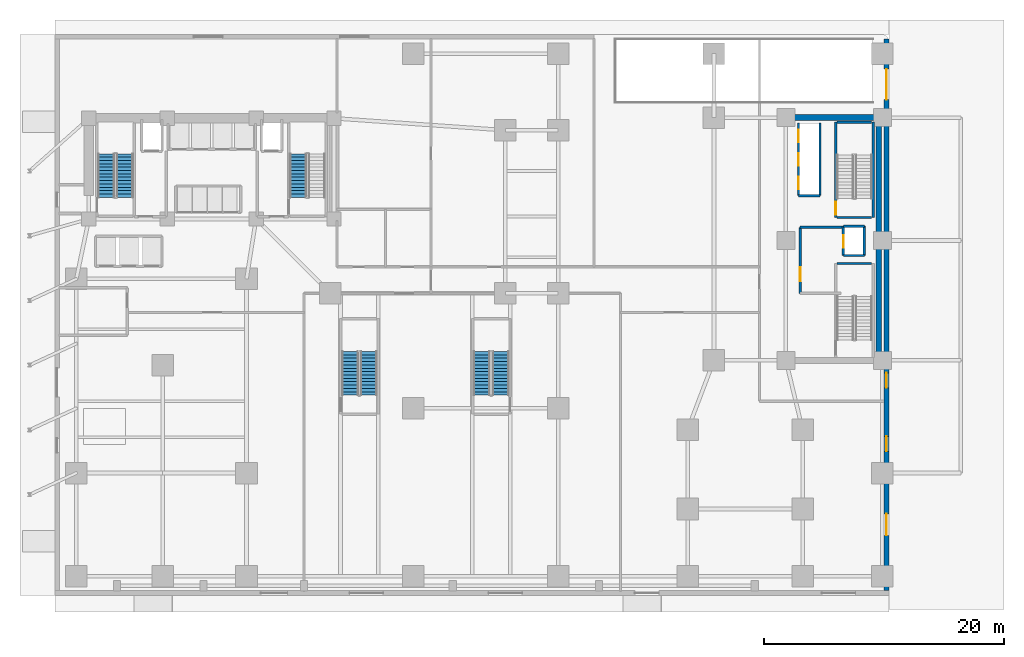
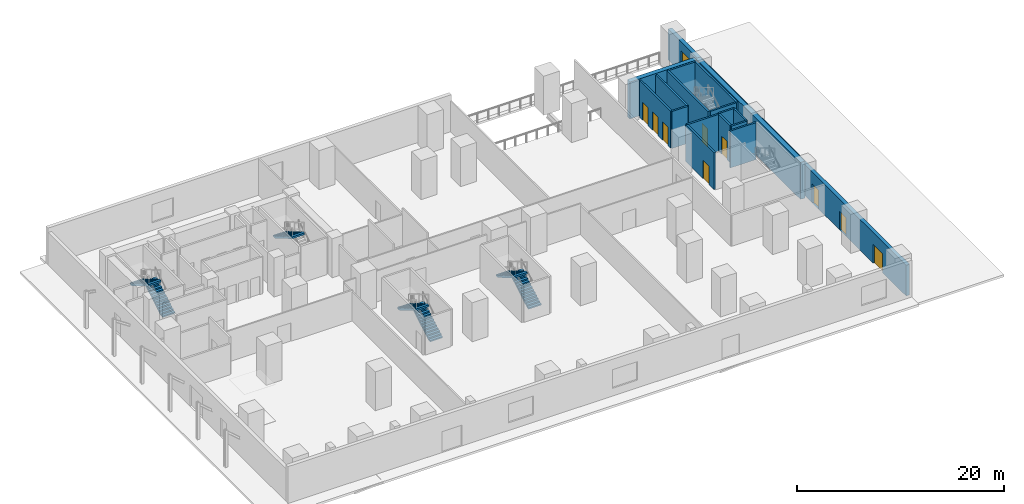
# One storey, part 9 of 14: 17 walls, 10 doors, 7 stair flights, 10 openings, 4 elements without a shape of their own.
"""IFC4 building model written with IfcOpenShell, lengths in metres."""

from ifc_helpers import new_model, si_unit, direction, frame, frame_2d, origin, place, context, subcontext, project, spatial, polyline, rectangle, outline, extrude, material, layer, layer_set, type_object, element, fill, aggregate, save


model = new_model("IFC4")

# Units and contexts
model_context = context("Model", 3, precision=1e-05, world=origin(), true_north=direction((0.0, 1.0)))
body_context = subcontext(model_context, "Body", "Model", "MODEL_VIEW")
ifc_project = project(units=[si_unit("LENGTHUNIT", "METRE"), si_unit("AREAUNIT", "SQUARE_METRE"), si_unit("VOLUMEUNIT", "CUBIC_METRE"), si_unit("PLANEANGLEUNIT", "RADIAN"), si_unit("MASSUNIT", "GRAM", prefix="KILO")], contexts=[model_context])

# Site, building, storey
site_placement = place(None, origin())
site = spatial("IfcSite", under=ifc_project, at=site_placement, CompositionType="ELEMENT")
building_placement = place(site_placement, origin())
building = spatial("IfcBuilding", under=site, at=building_placement, Name="Kuzgunbayir Cultural Tower", CompositionType="ELEMENT")
storey_placement = place(building_placement, origin())
storey = spatial("IfcBuildingStorey", under=building, at=storey_placement, Name="L00", CompositionType="ELEMENT", Elevation=0.0)

# Wall, openings, doors
ifc_material_1 = material(Name="Honed Basalt Plinth Stone", Category="masonry")
ifc_layer_1 = layer(ifc_material_1, 0.39990234375)
ifc_layer_set_1 = layer_set([ifc_layer_1], Name="Honed Basalt Plinth Stone")
wall_type_1 = type_object("IfcWallType", Name="WAL-EXT-GRANITE-400", PredefinedType="STANDARD", material=ifc_layer_set_1)
wall_1_placement = place(storey_placement, frame((73.0, 2.800048828125, 0.0), z_axis=(0.0, 0.0, 1.0), x_axis=(0.0, 1.0, 0.0)))
wall_1 = element("IfcWall", 1, at=wall_1_placement, inside=storey, type_object=wall_type_1, Name="L00 Podium East Limestone Facade", PredefinedType="STANDARD", context=body_context, shape_type="SweptSolid", body=[
    extrude(rectangle(XDim=46.0, YDim=0.39990234375, at=frame_2d((23.0, 0.0))), origin(), (0.0, 0.0, 1.0), 3.6298828125),
])
opening_1_placement = place(wall_1_placement, frame((11.60009765625, 0.0, 0.0)))
opening_1 = element("IfcOpeningElement", 2, at=opening_1_placement, cuts=wall_1, Name="Opening ED-05", PredefinedType="OPENING", context=body_context, shape_type="SweptSolid", body=[
    extrude(rectangle(XDim=1.25, YDim=2.199951171875, at=frame_2d((0.625, 1.10009765625))), frame((0.0, 0.2099609375, 0.0), z_axis=(0.0, -1.0, 0.0), x_axis=(1.0, 0.0, 0.0)), (0.0, 0.0, 1.0), 0.419921875),
])
opening_2_placement = place(wall_1_placement, frame((4.60009765625, 0.0, 0.0)))
opening_2 = element("IfcOpeningElement", 3, at=opening_2_placement, cuts=wall_1, Name="Opening ED-06", PredefinedType="OPENING", context=body_context, shape_type="SweptSolid", body=[
    extrude(rectangle(XDim=1.800048828125, YDim=2.25, at=frame_2d((0.89990234375, 1.125))), frame((0.0, 0.2099609375, 0.0), z_axis=(0.0, -1.0, 0.0), x_axis=(1.0, 0.0, 0.0)), (0.0, 0.0, 1.0), 0.419921875),
])
opening_3_placement = place(wall_1_placement, frame((16.89990234375, 0.0, 0.0)))
opening_3 = element("IfcOpeningElement", 4, at=opening_3_placement, cuts=wall_1, Name="Opening ED-07", PredefinedType="OPENING", context=body_context, shape_type="SweptSolid", body=[
    extrude(rectangle(XDim=1.25, YDim=2.199951171875, at=frame_2d((0.625, 1.10009765625))), frame((0.0, 0.2099609375, 0.0), z_axis=(0.0, -1.0, 0.0), x_axis=(1.0, 0.0, 0.0)), (0.0, 0.0, 1.0), 0.419921875),
])
opening_4_placement = place(wall_1_placement, frame((40.949951171875, 0.0, 0.0)))
opening_4 = element("IfcOpeningElement", 5, at=opening_4_placement, cuts=wall_1, Name="Opening VG01", PredefinedType="OPENING", context=body_context, shape_type="SweptSolid", body=[
    extrude(rectangle(XDim=2.550048828125, YDim=2.550048828125, at=frame_2d((1.27490234375, 1.27490234375))), frame((0.0, 0.2099609375, 0.0), z_axis=(0.0, -1.0, 0.0), x_axis=(1.0, 0.0, 0.0)), (0.0, 0.0, 1.0), 0.419921875),
])
ifc_material_2 = material(Name="Thermally Broken Glazed Aluminium", Category="aluminium")
door_type_1 = type_object("IfcDoorType", Name="DR-ED-05", OperationType="SINGLE_SWING_RIGHT", PredefinedType="DOOR", material=ifc_material_2)
door_1_placement = place(opening_1_placement, frame((1.25, 0.0, 0.0), z_axis=(0.0, 0.0, 1.0), x_axis=(-1.0, 0.0, 0.0)))
door_1 = element("IfcDoor", 6, at=door_1_placement, inside=storey, type_object=door_type_1, Name="Companion Discharge Exit ED-05", OperationType="SINGLE_SWING_RIGHT", OverallHeight=2.199951171875, OverallWidth=1.25, PredefinedType="DOOR", context=body_context, shape_type="SweptSolid", body=[
    extrude(rectangle(XDim=1.25, YDim=2.199951171875, at=frame_2d((0.625, 1.10009765625))), frame((0.0, 0.02490234375, 0.0), z_axis=(0.0, -1.0, 0.0), x_axis=(1.0, 0.0, 0.0)), (0.0, 0.0, 1.0), 0.050048828125),
])
fill(opening_1, door_1)
door_type_2 = type_object("IfcDoorType", Name="DR-ED-06", OperationType="DOUBLE_SWING_RIGHT", PredefinedType="DOOR", material=ifc_material_2)
door_2_placement = place(opening_2_placement, frame((1.800048828125, 0.0, 0.0), z_axis=(0.0, 0.0, 1.0), x_axis=(-1.0, 0.0, 0.0)))
door_2 = element("IfcDoor", 7, at=door_2_placement, inside=storey, type_object=door_type_2, Name="East Plaza Cultural Entrance ED-06", OperationType="DOUBLE_SWING_RIGHT", OverallHeight=2.25, OverallWidth=1.800048828125, PredefinedType="DOOR", context=body_context, shape_type="SweptSolid", body=[
    extrude(rectangle(XDim=1.800048828125, YDim=2.25, at=frame_2d((0.89990234375, 1.125))), frame((0.0, 0.02490234375, 0.0), z_axis=(0.0, -1.0, 0.0), x_axis=(1.0, 0.0, 0.0)), (0.0, 0.0, 1.0), 0.050048828125),
])
fill(opening_2, door_2)
door_type_3 = type_object("IfcDoorType", Name="DR-ED-07", OperationType="SINGLE_SWING_RIGHT", PredefinedType="DOOR", material=ifc_material_2)
door_3_placement = place(opening_3_placement, frame((1.25, 0.0, 0.0), z_axis=(0.0, 0.0, 1.0), x_axis=(-1.0, 0.0, 0.0)))
door_3 = element("IfcDoor", 8, at=door_3_placement, inside=storey, type_object=door_type_3, Name="East Protected Stair Exit Discharge Door ED-07", OperationType="SINGLE_SWING_RIGHT", OverallHeight=2.199951171875, OverallWidth=1.25, PredefinedType="DOOR", context=body_context, shape_type="SweptSolid", body=[
    extrude(rectangle(XDim=1.25, YDim=2.199951171875, at=frame_2d((0.625, 1.10009765625))), frame((0.0, 0.02490234375, 0.0), z_axis=(0.0, -1.0, 0.0), x_axis=(1.0, 0.0, 0.0)), (0.0, 0.0, 1.0), 0.050048828125),
])
fill(opening_3, door_3)
door_type_4 = type_object("IfcDoorType", Name="DR-VG-01", OperationType="ROLLINGUP", PredefinedType="GATE", material=ifc_material_2)
door_4_placement = place(opening_4_placement, origin())
door_4 = element("IfcDoor", 9, at=door_4_placement, inside=storey, type_object=door_type_4, Name="Basement Car-Park Roller Shutter VG01", OperationType="ROLLINGUP", OverallHeight=2.550048828125, OverallWidth=2.550048828125, PredefinedType="GATE", context=body_context, shape_type="SweptSolid", body=[
    extrude(rectangle(XDim=2.550048828125, YDim=2.550048828125, at=frame_2d((1.27490234375, 1.27490234375))), frame((0.0, 0.02490234375, 0.0), z_axis=(0.0, -1.0, 0.0), x_axis=(1.0, 0.0, 0.0)), (0.0, 0.0, 1.0), 0.050048828125),
])
fill(opening_4, door_4)

# Wall, opening, door
ifc_material_3 = material(Name="Aerated Concrete Blockwork", Category="masonry")
ifc_layer_2 = layer(ifc_material_3, 0.199951171875)
ifc_layer_set_2 = layer_set([ifc_layer_2], Name="Aerated Concrete Blockwork")
wall_type_2 = type_object("IfcWallType", Name="WAL-PART-FIRE-200", PredefinedType="PARTITIONING", material=ifc_layer_set_2)
wall_2_placement = place(storey_placement, frame((65.800048828125, 27.60009765625, 0.0), z_axis=(0.0, 0.0, 1.0), x_axis=(0.0, 1.0, 0.0)))
wall_2 = element("IfcWall", 10, at=wall_2_placement, inside=storey, type_object=wall_type_2, Name="L00 FFL-3 Lobby West Fire Wall", PredefinedType="PARTITIONING", context=body_context, shape_type="SweptSolid", body=[
    extrude(rectangle(XDim=5.5, YDim=0.199951171875, at=frame_2d((2.75, 0.0))), origin(), (0.0, 0.0, 1.0), 4.35009765625),
])
opening_5_placement = place(wall_2_placement, frame((1.0, 0.0, 0.0)))
opening_5 = element("IfcOpeningElement", 11, at=opening_5_placement, cuts=wall_2, Name="Opening DR-FFL-90", PredefinedType="OPENING", context=body_context, shape_type="SweptSolid", body=[
    extrude(rectangle(XDim=1.14990234375, YDim=2.14990234375, at=frame_2d((0.574951171875, 1.074951171875))), frame((0.0, 0.10986328125, 0.0), z_axis=(0.0, -1.0, 0.0), x_axis=(1.0, 0.0, 0.0)), (0.0, 0.0, 1.0), 0.219970703125),
])
ifc_material_4 = material(Name="Steel S355J2", Category="steel")
door_type_5 = type_object("IfcDoorType", Name="DR-FFL-90", OperationType="NOTDEFINED", PredefinedType="DOOR", material=ifc_material_4)
door_5_placement = place(opening_5_placement, origin())
door_5 = element("IfcDoor", 12, at=door_5_placement, inside=storey, type_object=door_type_5, Name="L00 Firefighting Lobby 3 Door", OperationType="SINGLE_SWING_LEFT", OverallHeight=2.14990234375, OverallWidth=1.14990234375, PredefinedType="DOOR", context=body_context, shape_type="SweptSolid", body=[
    extrude(rectangle(XDim=1.14990234375, YDim=2.14990234375, at=frame_2d((0.574951171875, 1.074951171875))), frame((0.0, 0.02490234375, 0.0), z_axis=(0.0, -1.0, 0.0), x_axis=(1.0, 0.0, 0.0)), (0.0, 0.0, 1.0), 0.050048828125),
])
fill(opening_5, door_5)

# Wall
wall_3_placement = place(storey_placement, frame((65.800048828125, 33.10009765625, 0.0), z_axis=(0.0, 0.0, 1.0), x_axis=(1.0, 0.0, 0.0)))
element("IfcWall", 13, at=wall_3_placement, inside=storey, type_object=wall_type_2, Name="L00 FFL-3 Lobby North Fire Wall", PredefinedType="PARTITIONING", context=body_context, shape_type="SweptSolid", body=[
    extrude(rectangle(XDim=3.599853515625, YDim=0.199951171875, at=frame_2d((1.7998046875, 0.0))), origin(), (0.0, 0.0, 1.0), 4.35009765625),
])

# Wall, openings, doors
ifc_material_5 = material(Name="Concrete C40/50", Category="concrete")
ifc_layer_3 = layer(ifc_material_5, 0.199951171875)
ifc_layer_set_3 = layer_set([ifc_layer_3], Name="Concrete C40/50")
wall_type_3 = type_object("IfcWallType", Name="WAL-SHAFT-200", PredefinedType="MOVABLE", material=ifc_layer_set_3)
wall_4_placement = place(storey_placement, frame((65.64990234375, 35.75, 0.0), z_axis=(0.0, 0.0, 1.0), x_axis=(0.0, 1.0, 0.0)))
wall_4 = element("IfcWall", 14, at=wall_4_placement, inside=storey, type_object=wall_type_3, Name="L00 Companion Lift Front Wall", PredefinedType="MOVABLE", context=body_context, shape_type="SweptSolid", body=[
    extrude(rectangle(XDim=6.050048828125, YDim=0.199951171875, at=frame_2d((3.02490234375, 0.0))), origin(), (0.0, 0.0, 1.0), 4.35009765625),
])
opening_6_placement = place(wall_4_placement, frame((0.52001953125, 0.0, 0.0)))
opening_6 = element("IfcOpeningElement", 15, at=opening_6_placement, cuts=wall_4, Name="Opening LD", PredefinedType="OPENING", context=body_context, shape_type="SweptSolid", body=[
    extrude(rectangle(XDim=1.050048828125, YDim=2.14990234375, at=frame_2d((0.52490234375, 1.074951171875))), frame((0.0, 0.10986328125, 0.0), z_axis=(0.0, -1.0, 0.0), x_axis=(1.0, 0.0, 0.0)), (0.0, 0.0, 1.0), 0.219970703125),
])
opening_7_placement = place(wall_4_placement, frame((2.47998046875, 0.0, 0.0)))
opening_7 = element("IfcOpeningElement", 16, at=opening_7_placement, cuts=wall_4, Name="Opening LD", PredefinedType="OPENING", context=body_context, shape_type="SweptSolid", body=[
    extrude(rectangle(XDim=1.050048828125, YDim=2.14990234375, at=frame_2d((0.52490234375, 1.074951171875))), frame((0.0, 0.10986328125, 0.0), z_axis=(0.0, -1.0, 0.0), x_axis=(1.0, 0.0, 0.0)), (0.0, 0.0, 1.0), 0.219970703125),
])
opening_8_placement = place(wall_4_placement, frame((4.429931640625, 0.0, 0.0)))
opening_8 = element("IfcOpeningElement", 17, at=opening_8_placement, cuts=wall_4, Name="Opening LD", PredefinedType="OPENING", context=body_context, shape_type="SweptSolid", body=[
    extrude(rectangle(XDim=1.050048828125, YDim=2.14990234375, at=frame_2d((0.52490234375, 1.074951171875))), frame((0.0, 0.10986328125, 0.0), z_axis=(0.0, -1.0, 0.0), x_axis=(1.0, 0.0, 0.0)), (0.0, 0.0, 1.0), 0.219970703125),
])
ifc_material_6 = material(Name="Brushed Stainless Steel", Category="steel")
door_type_6 = type_object("IfcDoorType", Name="DR-LIFT-LANDING", OperationType="SLIDING_TO_LEFT", PredefinedType="DOOR", material=ifc_material_6)
door_6_placement = place(opening_6_placement, origin())
door_6 = element("IfcDoor", 18, at=door_6_placement, inside=storey, type_object=door_type_6, Name="L00 Lift PC-1 Landing Door", OperationType="SLIDING_TO_LEFT", OverallHeight=2.14990234375, OverallWidth=1.050048828125, PredefinedType="DOOR", context=body_context, shape_type="SweptSolid", body=[
    extrude(rectangle(XDim=1.050048828125, YDim=2.14990234375, at=frame_2d((0.52490234375, 1.074951171875))), frame((0.0, 0.02490234375, 0.0), z_axis=(0.0, -1.0, 0.0), x_axis=(1.0, 0.0, 0.0)), (0.0, 0.0, 1.0), 0.050048828125),
])
fill(opening_6, door_6)
door_7_placement = place(opening_7_placement, origin())
door_7 = element("IfcDoor", 19, at=door_7_placement, inside=storey, type_object=door_type_6, Name="L00 Lift PC-2 Landing Door", OperationType="SLIDING_TO_LEFT", OverallHeight=2.14990234375, OverallWidth=1.050048828125, PredefinedType="DOOR", context=body_context, shape_type="SweptSolid", body=[
    extrude(rectangle(XDim=1.050048828125, YDim=2.14990234375, at=frame_2d((0.52490234375, 1.074951171875))), frame((0.0, 0.02490234375, 0.0), z_axis=(0.0, -1.0, 0.0), x_axis=(1.0, 0.0, 0.0)), (0.0, 0.0, 1.0), 0.050048828125),
])
fill(opening_7, door_7)
door_8_placement = place(opening_8_placement, origin())
door_8 = element("IfcDoor", 20, at=door_8_placement, inside=storey, type_object=door_type_6, Name="L00 Lift PC-3 Landing Door", OperationType="SLIDING_TO_LEFT", OverallHeight=2.14990234375, OverallWidth=1.050048828125, PredefinedType="DOOR", context=body_context, shape_type="SweptSolid", body=[
    extrude(rectangle(XDim=1.050048828125, YDim=2.14990234375, at=frame_2d((0.52490234375, 1.074951171875))), frame((0.0, 0.02490234375, 0.0), z_axis=(0.0, -1.0, 0.0), x_axis=(1.0, 0.0, 0.0)), (0.0, 0.0, 1.0), 0.050048828125),
])
fill(opening_8, door_8)

# Walls
wall_5_placement = place(storey_placement, frame((67.449951171875, 35.75, 0.0), z_axis=(0.0, 0.0, 1.0), x_axis=(0.0, 1.0, 0.0)))
element("IfcWall", 21, at=wall_5_placement, inside=storey, type_object=wall_type_3, Name="L00 Companion Lift Shaft Back Wall", PredefinedType="MOVABLE", context=body_context, shape_type="SweptSolid", body=[
    extrude(rectangle(XDim=6.050048828125, YDim=0.199951171875, at=frame_2d((3.02490234375, 0.0))), origin(), (0.0, 0.0, 1.0), 4.35009765625),
])
wall_6_placement = place(storey_placement, frame((65.64990234375, 35.75, 0.0), z_axis=(0.0, 0.0, 1.0), x_axis=(1.0, 0.0, 0.0)))
element("IfcWall", 22, at=wall_6_placement, inside=storey, type_object=wall_type_3, Name="L00 Companion Lift Shaft South Wall", PredefinedType="MOVABLE", context=body_context, shape_type="SweptSolid", body=[
    extrude(rectangle(XDim=1.800048828125, YDim=0.199951171875, at=frame_2d((0.89990234375, 0.0))), origin(), (0.0, 0.0, 1.0), 4.35009765625),
])

# Wall, opening, door
wall_7_placement = place(storey_placement, frame((69.39990234375, 30.75, 0.0), z_axis=(0.0, 0.0, 1.0), x_axis=(0.0, 1.0, 0.0)))
wall_7 = element("IfcWall", 23, at=wall_7_placement, inside=storey, type_object=wall_type_3, Name="L00 FFL-3 Lift Front Wall", PredefinedType="MOVABLE", context=body_context, shape_type="SweptSolid", body=[
    extrude(rectangle(XDim=2.449951171875, YDim=0.199951171875, at=frame_2d((1.22509765625, 0.0))), origin(), (0.0, 0.0, 1.0), 4.35009765625),
])
opening_9_placement = place(wall_7_placement, frame((0.64990234375, 0.0, 0.0)))
opening_9 = element("IfcOpeningElement", 24, at=opening_9_placement, cuts=wall_7, Name="Opening LD", PredefinedType="OPENING", context=body_context, shape_type="SweptSolid", body=[
    extrude(rectangle(XDim=1.050048828125, YDim=2.14990234375, at=frame_2d((0.52490234375, 1.074951171875))), frame((0.0, 0.10986328125, 0.0), z_axis=(0.0, -1.0, 0.0), x_axis=(1.0, 0.0, 0.0)), (0.0, 0.0, 1.0), 0.219970703125),
])
door_9_placement = place(opening_9_placement, origin())
door_9 = element("IfcDoor", 25, at=door_9_placement, inside=storey, type_object=door_type_6, Name="L00 Lift FFL-3 Landing Door", OperationType="SLIDING_TO_LEFT", OverallHeight=2.14990234375, OverallWidth=1.050048828125, PredefinedType="DOOR", context=body_context, shape_type="SweptSolid", body=[
    extrude(rectangle(XDim=1.050048828125, YDim=2.14990234375, at=frame_2d((0.52490234375, 1.074951171875))), frame((0.0, 0.02490234375, 0.0), z_axis=(0.0, -1.0, 0.0), x_axis=(1.0, 0.0, 0.0)), (0.0, 0.0, 1.0), 0.050048828125),
])
fill(opening_9, door_9)

# Walls
wall_8_placement = place(storey_placement, frame((71.14990234375, 30.75, 0.0), z_axis=(0.0, 0.0, 1.0), x_axis=(0.0, 1.0, 0.0)))
element("IfcWall", 26, at=wall_8_placement, inside=storey, type_object=wall_type_3, Name="L00 FFL-3 Shaft Back Wall", PredefinedType="MOVABLE", context=body_context, shape_type="SweptSolid", body=[
    extrude(rectangle(XDim=2.449951171875, YDim=0.199951171875, at=frame_2d((1.22509765625, 0.0))), origin(), (0.0, 0.0, 1.0), 4.35009765625),
])
for number, where, z_axis, x_axis, name in (
    (27, (69.39990234375, 33.199951171875, 0.0), (0.0, 0.0, 1.0), (1.0, 0.0, 0.0), "L00 FFL-3 Shaft North Wall"),
    (28, (69.39990234375, 30.75, 0.0), (0.0, 0.0, 1.0), (1.0, 0.0, 0.0), "L00 FFL-3 Shaft South Wall"),
):
    element("IfcWall", number, at=place(storey_placement, frame(where, z_axis=z_axis, x_axis=x_axis)), inside=storey, type_object=wall_type_3, Name=name, PredefinedType="MOVABLE", context=body_context, shape_type="SweptSolid", body=[
        extrude(rectangle(XDim=1.75, YDim=0.199951171875, at=frame_2d((0.875, 0.0))), origin(), (0.0, 0.0, 1.0), 4.35009765625),
    ])
ifc_layer_4 = layer(ifc_material_5, 0.199951171875)
ifc_layer_set_4 = layer_set([ifc_layer_4], Name="Concrete C40/50")
wall_type_4 = type_object("IfcWallType", Name="WAL-STAIR-RC-200", PredefinedType="SHEAR", material=ifc_layer_set_4)
wall_9_placement = place(storey_placement, frame((68.8798828125, 30.080078125, 0.0), z_axis=(0.0, 0.0, 1.0), x_axis=(1.0, 0.0, 0.0)))
element("IfcWall", 29, at=wall_9_placement, inside=storey, type_object=wall_type_4, Name="L00 Stair ST-3 North Structural Wall", PredefinedType="SHEAR", context=body_context, shape_type="SweptSolid", body=[
    extrude(rectangle(XDim=2.880126953125, YDim=0.199951171875, at=frame_2d((1.43994140625, 0.0))), origin(), (0.0, 0.0, 1.0), 4.35009765625),
])

# Wall, opening, door
wall_10_placement = place(storey_placement, frame((68.760009765625, 33.919921875, 0.0), z_axis=(0.0, 0.0, 1.0), x_axis=(0.0, 1.0, 0.0)))
wall_10 = element("IfcWall", 30, at=wall_10_placement, inside=storey, type_object=wall_type_4, Name="L00 Stair ST-4 West Structural Wall", PredefinedType="SHEAR", context=body_context, shape_type="SweptSolid", body=[
    extrude(rectangle(XDim=7.9599609375, YDim=0.199951171875, at=frame_2d((3.97998046875, 0.0))), origin(), (0.0, 0.0, 1.0), 4.35009765625),
])
opening_10_placement = place(wall_10_placement, frame((0.219970703125, 0.0, 0.0)))
opening_10 = element("IfcOpeningElement", 31, at=opening_10_placement, cuts=wall_10, Name="Opening DR-STAIR-90", PredefinedType="OPENING", context=body_context, shape_type="SweptSolid", body=[
    extrude(rectangle(XDim=1.10009765625, YDim=2.14990234375, at=frame_2d((0.550048828125, 1.074951171875))), frame((0.0, 0.10986328125, 0.0), z_axis=(0.0, -1.0, 0.0), x_axis=(1.0, 0.0, 0.0)), (0.0, 0.0, 1.0), 0.219970703125),
])
door_type_7 = type_object("IfcDoorType", Name="DR-STAIR-90", OperationType="NOTDEFINED", PredefinedType="DOOR", material=ifc_material_4)
door_10_placement = place(opening_10_placement, origin())
door_10 = element("IfcDoor", 32, at=door_10_placement, inside=storey, type_object=door_type_7, Name="L00 Stair ST-4 Fire Door", OperationType="SINGLE_SWING_LEFT", OverallHeight=2.14990234375, OverallWidth=1.10009765625, PredefinedType="DOOR", context=body_context, shape_type="SweptSolid", body=[
    extrude(rectangle(XDim=1.10009765625, YDim=2.14990234375, at=frame_2d((0.550048828125, 1.074951171875))), frame((0.0, 0.02490234375, 0.0), z_axis=(0.0, -1.0, 0.0), x_axis=(1.0, 0.0, 0.0)), (0.0, 0.0, 1.0), 0.050048828125),
])
fill(opening_10, door_10)

# Walls
wall_11_placement = place(storey_placement, frame((71.8798828125, 33.919921875, 0.0), z_axis=(0.0, 0.0, 1.0), x_axis=(0.0, 1.0, 0.0)))
element("IfcWall", 33, at=wall_11_placement, inside=storey, type_object=wall_type_4, Name="L00 Stair ST-4 East Structural Wall", PredefinedType="SHEAR", context=body_context, shape_type="SweptSolid", body=[
    extrude(rectangle(XDim=7.9599609375, YDim=0.199951171875, at=frame_2d((3.97998046875, 0.0))), origin(), (0.0, 0.0, 1.0), 4.35009765625),
])
for number, where, z_axis, x_axis, name in (
    (34, (68.8798828125, 41.8798828125, 0.0), (0.0, 0.0, 1.0), (1.0, 0.0, 0.0), "L00 Stair ST-4 North Structural Wall"),
    (35, (68.8798828125, 33.919921875, 0.0), (0.0, 0.0, 1.0), (1.0, 0.0, 0.0), "L00 Stair ST-4 South Structural Wall"),
):
    element("IfcWall", number, at=place(storey_placement, frame(where, z_axis=z_axis, x_axis=x_axis)), inside=storey, type_object=wall_type_4, Name=name, PredefinedType="SHEAR", context=body_context, shape_type="SweptSolid", body=[
        extrude(rectangle(XDim=2.880126953125, YDim=0.199951171875, at=frame_2d((1.43994140625, 0.0))), origin(), (0.0, 0.0, 1.0), 4.35009765625),
    ])
ifc_material_7 = material(Name="Concrete C60/75", Category="concrete")
ifc_layer_5 = layer(ifc_material_7, 0.5)
ifc_layer_set_5 = layer_set([ifc_layer_5], Name="Concrete C60/75")
wall_type_5 = type_object("IfcWallType", Name="WAL-T2-CORE-500", PredefinedType="SHEAR", material=ifc_layer_set_5)
wall_12_placement = place(storey_placement, frame((72.35009765625, 22.0, 0.0), z_axis=(0.0, 0.0, 1.0), x_axis=(0.0, 1.0, 0.0)))
element("IfcWall", 36, at=wall_12_placement, inside=storey, type_object=wall_type_5, Name="L00 Companion Core East Shear Wall", PredefinedType="SHEAR", context=body_context, shape_type="SweptSolid", body=[
    extrude(rectangle(XDim=20.25, YDim=0.5, at=frame_2d((10.125, 0.0))), origin(), (0.0, 0.0, 1.0), 4.35009765625),
])
wall_13_placement = place(storey_placement, frame((64.60009765625, 42.25, 0.0), z_axis=(0.0, 0.0, 1.0), x_axis=(1.0, 0.0, 0.0)))
element("IfcWall", 37, at=wall_13_placement, inside=storey, type_object=wall_type_5, Name="L00 Companion Core North Shear Wall", PredefinedType="SHEAR", context=body_context, shape_type="SweptSolid", body=[
    extrude(rectangle(XDim=7.5, YDim=0.5, at=frame_2d((3.75, 0.0))), origin(), (0.0, 0.0, 1.0), 4.35009765625),
])

# Stair, stair flights
stair_type_1 = type_object("IfcStairType", Name="STR-EXIT-CORE", PredefinedType="HALF_TURN_STAIR", material=ifc_material_5)
stair_1_placement = place(storey_placement, origin())
stair_1 = element("IfcStair", 38, at=stair_1_placement, inside=storey, type_object=stair_type_1, Name="L00 ST-1", PredefinedType="HALF_TURN_STAIR")
stair_flight_type = type_object("IfcStairFlightType", Name="STRF-RC-140", PredefinedType="STRAIGHT", material=ifc_material_5)
stair_flight_1_placement = place(storey_placement, frame((9.4599609375, 35.60009765625, 0.0), z_axis=(0.0, 0.0, 1.0), x_axis=(0.0, 1.0, 0.0)))
stair_flight_1 = element("IfcStairFlight", 39, at=stair_flight_1_placement, type_object=stair_flight_type, Name="ST-1 flight 1", NumberOfRisers=14, NumberOfTreads=13, PredefinedType="STRAIGHT", RiserHeight=0.164285714, TreadLength=0.28, context=body_context, shape_type="SweptSolid", body=[
    extrude(outline(polyline([(0.0, 0.0), (0.0, 0.164306640625), (0.280029296875, 0.164306640625), (0.280029296875, 0.32861328125), (0.56005859375, 0.32861328125), (0.56005859375, 0.492919921875), (0.840087890625, 0.492919921875), (0.840087890625, 0.6572265625), (1.1201171875, 0.6572265625), (1.1201171875, 0.821533203125), (1.39990234375, 0.821533203125), (1.39990234375, 0.985595703125), (1.679931640625, 0.985595703125), (1.679931640625, 1.14990234375), (1.9599609375, 1.14990234375), (1.9599609375, 1.314208984375), (2.239990234375, 1.314208984375), (2.239990234375, 1.478515625), (2.52001953125, 1.478515625), (2.52001953125, 1.642822265625), (2.800048828125, 1.642822265625), (2.800048828125, 1.80712890625), (3.080078125, 1.80712890625), (3.080078125, 1.971435546875), (3.360107421875, 1.971435546875), (3.360107421875, 2.1357421875), (3.639892578125, 2.1357421875), (3.639892578125, 2.300048828125), (3.639892578125, 1.927001953125), (0.35546875, 0.0), (0.0, 0.0)])), frame((0.0, 0.699951171875, 0.0), z_axis=(0.0, -1.0, 0.0), x_axis=(1.0, 0.0, 0.0)), (0.0, 0.0, 1.0), 1.39990234375),
])
stair_flight_2_placement = place(storey_placement, frame((7.89990234375, 39.239990234375, 2.300048828125), z_axis=(0.0, 0.0, 1.0), x_axis=(0.0, -1.0, 0.0)))
stair_flight_2 = element("IfcStairFlight", 40, at=stair_flight_2_placement, type_object=stair_flight_type, Name="ST-1 flight 2", NumberOfRisers=14, NumberOfTreads=13, PredefinedType="STRAIGHT", RiserHeight=0.164285714, TreadLength=0.28, context=body_context, shape_type="SweptSolid", body=[
    extrude(outline(polyline([(0.0, 0.0), (0.0, 0.164306640625), (0.280029296875, 0.164306640625), (0.280029296875, 0.32861328125), (0.56005859375, 0.32861328125), (0.56005859375, 0.492919921875), (0.840087890625, 0.492919921875), (0.840087890625, 0.6572265625), (1.1201171875, 0.6572265625), (1.1201171875, 0.821533203125), (1.39990234375, 0.821533203125), (1.39990234375, 0.985595703125), (1.679931640625, 0.985595703125), (1.679931640625, 1.14990234375), (1.9599609375, 1.14990234375), (1.9599609375, 1.314208984375), (2.239990234375, 1.314208984375), (2.239990234375, 1.478515625), (2.52001953125, 1.478515625), (2.52001953125, 1.642822265625), (2.800048828125, 1.642822265625), (2.800048828125, 1.80712890625), (3.080078125, 1.80712890625), (3.080078125, 1.971435546875), (3.360107421875, 1.971435546875), (3.360107421875, 2.1357421875), (3.639892578125, 2.1357421875), (3.639892578125, 2.300048828125), (3.639892578125, 1.927001953125), (0.35546875, 0.0), (0.0, 0.0)])), frame((0.0, 0.699951171875, 0.0), z_axis=(0.0, -1.0, 0.0), x_axis=(1.0, 0.0, 0.0)), (0.0, 0.0, 1.0), 1.39990234375),
])
aggregate(stair_1, [stair_flight_1, stair_flight_2])

# Stair, stair flight
stair_2_placement = place(storey_placement, origin())
stair_2 = element("IfcStair", 41, at=stair_2_placement, inside=storey, type_object=stair_type_1, Name="L00 ST-2", PredefinedType="HALF_TURN_STAIR")
stair_flight_3_placement = place(storey_placement, frame((23.89990234375, 39.239990234375, 2.300048828125), z_axis=(0.0, 0.0, 1.0), x_axis=(0.0, -1.0, 0.0)))
stair_flight_3 = element("IfcStairFlight", 42, at=stair_flight_3_placement, type_object=stair_flight_type, Name="ST-2 flight 2", NumberOfRisers=14, NumberOfTreads=13, PredefinedType="STRAIGHT", RiserHeight=0.164285714, TreadLength=0.28, context=body_context, shape_type="SweptSolid", body=[
    extrude(outline(polyline([(0.0, 0.0), (0.0, 0.164306640625), (0.280029296875, 0.164306640625), (0.280029296875, 0.32861328125), (0.56005859375, 0.32861328125), (0.56005859375, 0.492919921875), (0.840087890625, 0.492919921875), (0.840087890625, 0.6572265625), (1.1201171875, 0.6572265625), (1.1201171875, 0.821533203125), (1.39990234375, 0.821533203125), (1.39990234375, 0.985595703125), (1.679931640625, 0.985595703125), (1.679931640625, 1.14990234375), (1.9599609375, 1.14990234375), (1.9599609375, 1.314208984375), (2.239990234375, 1.314208984375), (2.239990234375, 1.478515625), (2.52001953125, 1.478515625), (2.52001953125, 1.642822265625), (2.800048828125, 1.642822265625), (2.800048828125, 1.80712890625), (3.080078125, 1.80712890625), (3.080078125, 1.971435546875), (3.360107421875, 1.971435546875), (3.360107421875, 2.1357421875), (3.639892578125, 2.1357421875), (3.639892578125, 2.300048828125), (3.639892578125, 1.927001953125), (0.35546875, 0.0), (0.0, 0.0)])), frame((0.0, 0.699951171875, 0.0), z_axis=(0.0, -1.0, 0.0), x_axis=(1.0, 0.0, 0.0)), (0.0, 0.0, 1.0), 1.39990234375),
])
aggregate(stair_2, [stair_flight_3])

# Stair, stair flights
stair_type_2 = type_object("IfcStairType", Name="STR-PODIUM-ESC", PredefinedType="HALF_TURN_STAIR", material=ifc_material_5)
stair_3_placement = place(storey_placement, origin())
stair_3 = element("IfcStair", 43, at=stair_3_placement, inside=storey, type_object=stair_type_2, Name="L00 ST-5", PredefinedType="HALF_TURN_STAIR")
stair_flight_4_placement = place(storey_placement, frame((29.800048828125, 19.10009765625, 0.0), z_axis=(0.0, 0.0, 1.0), x_axis=(0.0, 1.0, 0.0)))
stair_flight_4 = element("IfcStairFlight", 44, at=stair_flight_4_placement, type_object=stair_flight_type, Name="ST-5 flight 1", NumberOfRisers=14, NumberOfTreads=13, PredefinedType="STRAIGHT", RiserHeight=0.164285714, TreadLength=0.28, context=body_context, shape_type="SweptSolid", body=[
    extrude(outline(polyline([(0.0, 0.0), (0.0, 0.164306640625), (0.280029296875, 0.164306640625), (0.280029296875, 0.32861328125), (0.56005859375, 0.32861328125), (0.56005859375, 0.492919921875), (0.840087890625, 0.492919921875), (0.840087890625, 0.6572265625), (1.1201171875, 0.6572265625), (1.1201171875, 0.821533203125), (1.39990234375, 0.821533203125), (1.39990234375, 0.985595703125), (1.679931640625, 0.985595703125), (1.679931640625, 1.14990234375), (1.9599609375, 1.14990234375), (1.9599609375, 1.314208984375), (2.239990234375, 1.314208984375), (2.239990234375, 1.478515625), (2.52001953125, 1.478515625), (2.52001953125, 1.642822265625), (2.800048828125, 1.642822265625), (2.800048828125, 1.80712890625), (3.080078125, 1.80712890625), (3.080078125, 1.971435546875), (3.360107421875, 1.971435546875), (3.360107421875, 2.1357421875), (3.639892578125, 2.1357421875), (3.639892578125, 2.300048828125), (3.639892578125, 1.927001953125), (0.35546875, 0.0), (0.0, 0.0)])), frame((0.0, 0.699951171875, 0.0), z_axis=(0.0, -1.0, 0.0), x_axis=(1.0, 0.0, 0.0)), (0.0, 0.0, 1.0), 1.39990234375),
])
stair_flight_5_placement = place(storey_placement, frame((28.239990234375, 22.739990234375, 2.300048828125), z_axis=(0.0, 0.0, 1.0), x_axis=(0.0, -1.0, 0.0)))
stair_flight_5 = element("IfcStairFlight", 45, at=stair_flight_5_placement, type_object=stair_flight_type, Name="ST-5 flight 2", NumberOfRisers=14, NumberOfTreads=13, PredefinedType="STRAIGHT", RiserHeight=0.164285714, TreadLength=0.28, context=body_context, shape_type="SweptSolid", body=[
    extrude(outline(polyline([(0.0, 0.0), (0.0, 0.164306640625), (0.280029296875, 0.164306640625), (0.280029296875, 0.32861328125), (0.56005859375, 0.32861328125), (0.56005859375, 0.492919921875), (0.840087890625, 0.492919921875), (0.840087890625, 0.6572265625), (1.1201171875, 0.6572265625), (1.1201171875, 0.821533203125), (1.39990234375, 0.821533203125), (1.39990234375, 0.985595703125), (1.679931640625, 0.985595703125), (1.679931640625, 1.14990234375), (1.9599609375, 1.14990234375), (1.9599609375, 1.314208984375), (2.239990234375, 1.314208984375), (2.239990234375, 1.478515625), (2.52001953125, 1.478515625), (2.52001953125, 1.642822265625), (2.800048828125, 1.642822265625), (2.800048828125, 1.80712890625), (3.080078125, 1.80712890625), (3.080078125, 1.971435546875), (3.360107421875, 1.971435546875), (3.360107421875, 2.1357421875), (3.639892578125, 2.1357421875), (3.639892578125, 2.300048828125), (3.639892578125, 1.927001953125), (0.35546875, 0.0), (0.0, 0.0)])), frame((0.0, 0.699951171875, 0.0), z_axis=(0.0, -1.0, 0.0), x_axis=(1.0, 0.0, 0.0)), (0.0, 0.0, 1.0), 1.39990234375),
])
aggregate(stair_3, [stair_flight_4, stair_flight_5])

stair_4_placement = place(storey_placement, origin())
stair_4 = element("IfcStair", 46, at=stair_4_placement, inside=storey, type_object=stair_type_2, Name="L00 ST-6", PredefinedType="HALF_TURN_STAIR")
stair_flight_6_placement = place(storey_placement, frame((40.800048828125, 19.10009765625, 0.0), z_axis=(0.0, 0.0, 1.0), x_axis=(0.0, 1.0, 0.0)))
stair_flight_6 = element("IfcStairFlight", 47, at=stair_flight_6_placement, type_object=stair_flight_type, Name="ST-6 flight 1", NumberOfRisers=14, NumberOfTreads=13, PredefinedType="STRAIGHT", RiserHeight=0.164285714, TreadLength=0.28, context=body_context, shape_type="SweptSolid", body=[
    extrude(outline(polyline([(0.0, 0.0), (0.0, 0.164306640625), (0.280029296875, 0.164306640625), (0.280029296875, 0.32861328125), (0.56005859375, 0.32861328125), (0.56005859375, 0.492919921875), (0.840087890625, 0.492919921875), (0.840087890625, 0.6572265625), (1.1201171875, 0.6572265625), (1.1201171875, 0.821533203125), (1.39990234375, 0.821533203125), (1.39990234375, 0.985595703125), (1.679931640625, 0.985595703125), (1.679931640625, 1.14990234375), (1.9599609375, 1.14990234375), (1.9599609375, 1.314208984375), (2.239990234375, 1.314208984375), (2.239990234375, 1.478515625), (2.52001953125, 1.478515625), (2.52001953125, 1.642822265625), (2.800048828125, 1.642822265625), (2.800048828125, 1.80712890625), (3.080078125, 1.80712890625), (3.080078125, 1.971435546875), (3.360107421875, 1.971435546875), (3.360107421875, 2.1357421875), (3.639892578125, 2.1357421875), (3.639892578125, 2.300048828125), (3.639892578125, 1.927001953125), (0.35546875, 0.0), (0.0, 0.0)])), frame((0.0, 0.699951171875, 0.0), z_axis=(0.0, -1.0, 0.0), x_axis=(1.0, 0.0, 0.0)), (0.0, 0.0, 1.0), 1.39990234375),
])
stair_flight_7_placement = place(storey_placement, frame((39.239990234375, 22.739990234375, 2.300048828125), z_axis=(0.0, 0.0, 1.0), x_axis=(0.0, -1.0, 0.0)))
stair_flight_7 = element("IfcStairFlight", 48, at=stair_flight_7_placement, type_object=stair_flight_type, Name="ST-6 flight 2", NumberOfRisers=14, NumberOfTreads=13, PredefinedType="STRAIGHT", RiserHeight=0.164285714, TreadLength=0.28, context=body_context, shape_type="SweptSolid", body=[
    extrude(outline(polyline([(0.0, 0.0), (0.0, 0.164306640625), (0.280029296875, 0.164306640625), (0.280029296875, 0.32861328125), (0.56005859375, 0.32861328125), (0.56005859375, 0.492919921875), (0.840087890625, 0.492919921875), (0.840087890625, 0.6572265625), (1.1201171875, 0.6572265625), (1.1201171875, 0.821533203125), (1.39990234375, 0.821533203125), (1.39990234375, 0.985595703125), (1.679931640625, 0.985595703125), (1.679931640625, 1.14990234375), (1.9599609375, 1.14990234375), (1.9599609375, 1.314208984375), (2.239990234375, 1.314208984375), (2.239990234375, 1.478515625), (2.52001953125, 1.478515625), (2.52001953125, 1.642822265625), (2.800048828125, 1.642822265625), (2.800048828125, 1.80712890625), (3.080078125, 1.80712890625), (3.080078125, 1.971435546875), (3.360107421875, 1.971435546875), (3.360107421875, 2.1357421875), (3.639892578125, 2.1357421875), (3.639892578125, 2.300048828125), (3.639892578125, 1.927001953125), (0.35546875, 0.0), (0.0, 0.0)])), frame((0.0, 0.699951171875, 0.0), z_axis=(0.0, -1.0, 0.0), x_axis=(1.0, 0.0, 0.0)), (0.0, 0.0, 1.0), 1.39990234375),
])
aggregate(stair_4, [stair_flight_6, stair_flight_7])

save(model, "model.ifc")
